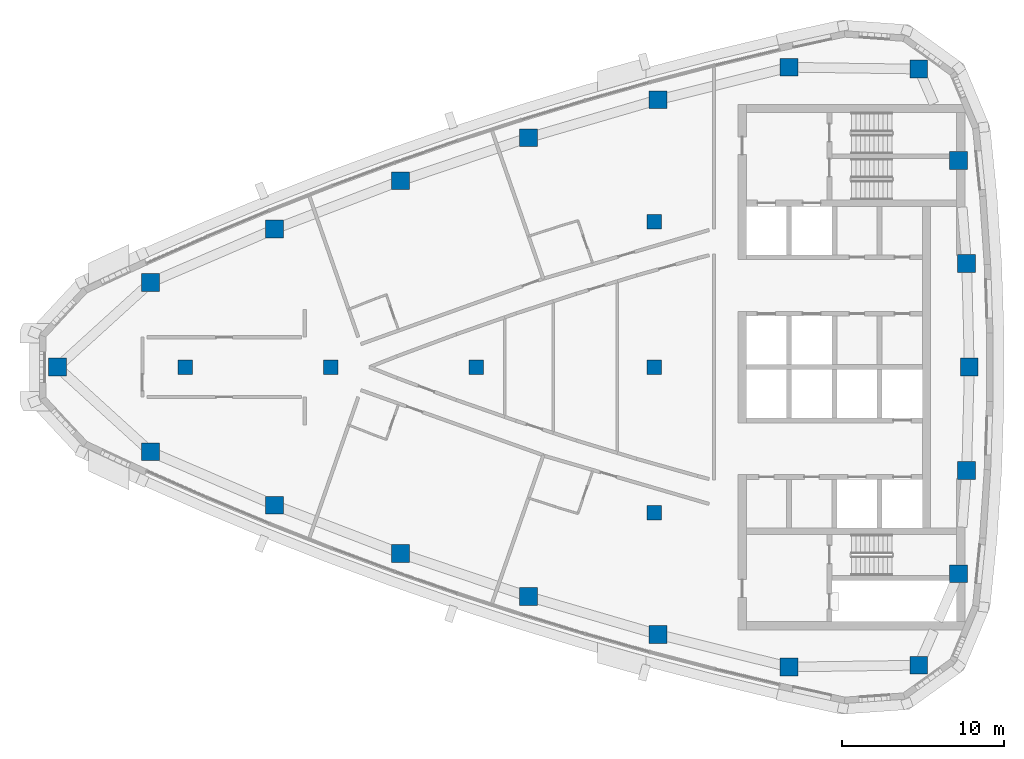
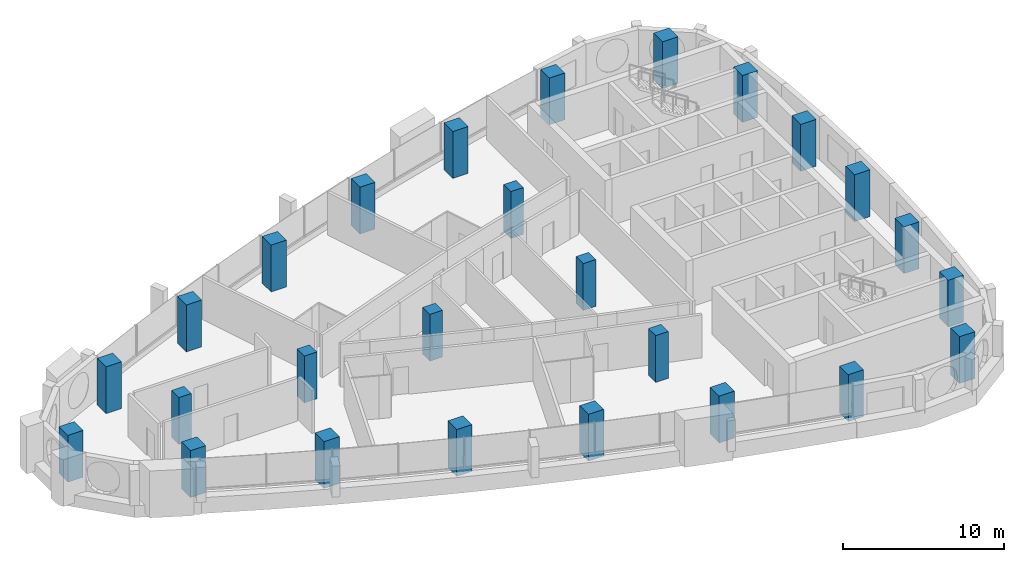
# One storey, part 1 of 14: 26 columns.
"""IFC4 building model written with IfcOpenShell, lengths in metres."""

from ifc_helpers import new_model, si_unit, direction, frame, origin, origin_2d, place, context, subcontext, project, spatial, rectangle, extrude, material, material_profile, profile_set, type_object, element, save


model = new_model("IFC4")

# Units and contexts
model_context = context("Model", 3, precision=1e-05, world=origin(), true_north=direction((0.0, 1.0)))
body_context = subcontext(model_context, "Body", "Model", "MODEL_VIEW")
ifc_project = project(units=[si_unit("LENGTHUNIT", "METRE"), si_unit("AREAUNIT", "SQUARE_METRE"), si_unit("VOLUMEUNIT", "CUBIC_METRE"), si_unit("PLANEANGLEUNIT", "RADIAN"), si_unit("MASSUNIT", "GRAM", prefix="KILO")], contexts=[model_context])

# Site, building, storey
site_placement = place(None, origin())
site = spatial("IfcSite", under=ifc_project, at=site_placement, CompositionType="ELEMENT")
building_placement = place(site_placement, origin())
building = spatial("IfcBuilding", under=site, at=building_placement, Name="Ostrand Prow Hotel Tower", CompositionType="ELEMENT")
storey_placement = place(building_placement, frame((0.0, 0.0, 275.0)))
storey = spatial("IfcBuildingStorey", under=building, at=storey_placement, Name="L69", CompositionType="ELEMENT", Elevation=275.0)

# Columns
ifc_material_1 = material(Name="Concrete C50/60", Category="concrete")
ifc_material_profile_1 = material_profile(ifc_material_1, rectangle(XDim=0.89990234375, YDim=0.89990234375, at=origin_2d()), Name="RC 900x900")
ifc_profile_set_1 = profile_set([ifc_material_profile_1], Name="Concrete C50/60")
column_type_1 = type_object("IfcColumnType", Name="Interior column 900x900 C50/60", PredefinedType="COLUMN", material=ifc_profile_set_1)
for number, where, z_axis, x_axis, name in (
    (1, (16.0, 0.0, 0.0), (0.0, 0.0, 1.0), (1.0, 0.0, 0.0), "Interior column 16C0"),
    (2, (25.0, 0.0, 0.0), (0.0, 0.0, 1.0), (1.0, 0.0, 0.0), "Interior column 25C0"),
    (3, (34.0, 0.0, 0.0), (0.0, 0.0, 1.0), (1.0, 0.0, 0.0), "Interior column 34C0"),
    (4, (45.0, -9.0, 0.0), (0.0, 0.0, 1.0), (1.0, 0.0, 0.0), "Interior column 45S9"),
    (5, (45.0, 0.0, 0.0), (0.0, 0.0, 1.0), (1.0, 0.0, 0.0), "Interior column 45C0"),
    (6, (45.0, 9.0, 0.0), (0.0, 0.0, 1.0), (1.0, 0.0, 0.0), "Interior column 45N9"),
):
    element("IfcColumn", number, at=place(storey_placement, frame(where, z_axis=z_axis, x_axis=x_axis)), inside=storey, type_object=column_type_1, Name=name, PredefinedType="COLUMN", context=body_context, shape_type="SweptSolid", body=[
        extrude(rectangle(XDim=0.89990234375, YDim=0.89990234375, at=origin_2d()), origin(), (0.0, 0.0, 1.0), 3.550048828125),
    ])
ifc_material_2 = material(Name="Concrete C50/60", Category="concrete")
ifc_material_profile_2 = material_profile(ifc_material_2, rectangle(XDim=1.10009765625, YDim=1.10009765625, at=origin_2d()), Name="RC 1100x1100")
ifc_profile_set_2 = profile_set([ifc_material_profile_2], Name="Concrete C50/60")
column_type_2 = type_object("IfcColumnType", Name="Stone-faced mega column 1100x1100 C50/60", PredefinedType="COLUMN", material=ifc_profile_set_2)
for number, where, z_axis, x_axis, name in (
    (7, (8.082763671875, 0.0, 0.0), (0.0, 0.0, 1.0), (1.0, 0.0, 0.0), "Mega column P"),
    (8, (13.846435546875, -5.23681640625, 0.0), (0.0, 0.0, 1.0), (1.0, 0.0, 0.0), "Mega column S1"),
    (9, (21.51416015625, -8.5400390625, 0.0), (0.0, 0.0, 1.0), (1.0, 0.0, 0.0), "Mega column S2"),
    (10, (29.31005859375, -11.528076171875, 0.0), (0.0, 0.0, 1.0), (1.0, 0.0, 0.0), "Mega column S3"),
    (11, (37.22119140625, -14.19580078125, 0.0), (0.0, 0.0, 1.0), (1.0, 0.0, 0.0), "Mega column S4"),
    (12, (45.234619140625, -16.53857421875, 0.0), (0.0, 0.0, 1.0), (1.0, 0.0, 0.0), "Mega column S5"),
    (13, (53.3369140625, -18.552978515625, 0.0), (0.0, 0.0, 1.0), (1.0, 0.0, 0.0), "Mega column S6"),
    (14, (61.374267578125, -18.439697265625, 0.0), (0.0, 0.0, 1.0), (1.0, 0.0, 0.0), "Mega column SE"),
    (15, (63.831787109375, -12.7890625, 0.0), (0.0, 0.0, 1.0), (1.0, 0.0, 0.0), "Mega column B1"),
    (16, (64.332763671875, -6.4033203125, 0.0), (0.0, 0.0, 1.0), (1.0, 0.0, 0.0), "Mega column B2"),
    (17, (64.5, 0.0, 0.0), (0.0, 0.0, 1.0), (1.0, 0.0, 0.0), "Mega column B3"),
    (18, (64.332763671875, 6.4033203125, 0.0), (0.0, 0.0, 1.0), (1.0, 0.0, 0.0), "Mega column B4"),
    (19, (63.831787109375, 12.7890625, 0.0), (0.0, 0.0, 1.0), (1.0, 0.0, 0.0), "Mega column B5"),
    (20, (61.374267578125, 18.439697265625, 0.0), (0.0, 0.0, 1.0), (1.0, 0.0, 0.0), "Mega column NE"),
    (21, (53.3369140625, 18.552978515625, 0.0), (0.0, 0.0, 1.0), (1.0, 0.0, 0.0), "Mega column N1"),
    (22, (45.234619140625, 16.53857421875, 0.0), (0.0, 0.0, 1.0), (1.0, 0.0, 0.0), "Mega column N2"),
    (23, (37.22119140625, 14.19580078125, 0.0), (0.0, 0.0, 1.0), (1.0, 0.0, 0.0), "Mega column N3"),
    (24, (29.31005859375, 11.528076171875, 0.0), (0.0, 0.0, 1.0), (1.0, 0.0, 0.0), "Mega column N4"),
    (25, (21.51416015625, 8.5400390625, 0.0), (0.0, 0.0, 1.0), (1.0, 0.0, 0.0), "Mega column N5"),
    (26, (13.846435546875, 5.23681640625, 0.0), (0.0, 0.0, 1.0), (1.0, 0.0, 0.0), "Mega column N6"),
):
    element("IfcColumn", number, at=place(storey_placement, frame(where, z_axis=z_axis, x_axis=x_axis)), inside=storey, type_object=column_type_2, Name=name, PredefinedType="COLUMN", context=body_context, shape_type="SweptSolid", body=[
        extrude(rectangle(XDim=1.10009765625, YDim=1.10009765625, at=origin_2d()), origin(), (0.0, 0.0, 1.0), 3.550048828125),
    ])

save(model, "model.ifc")
